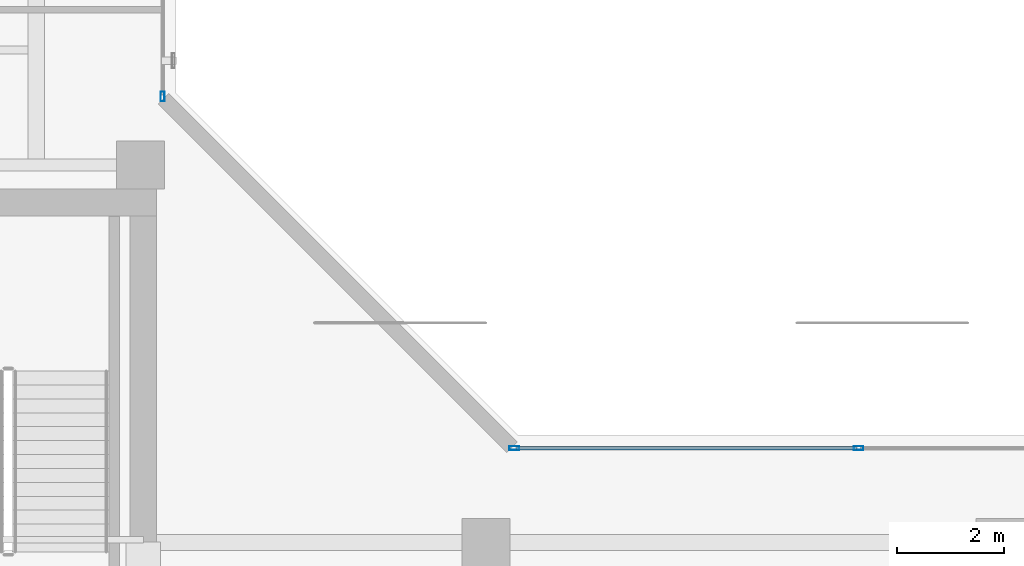
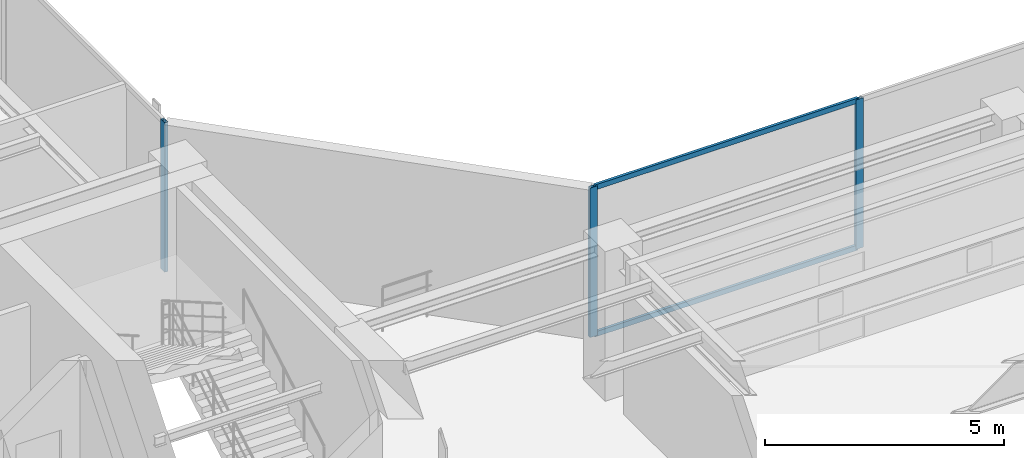
# One storey, part 13 of 32: 5 members, 2 elements without a shape of their own.
"""IFC4 building model written with IfcOpenShell, lengths in metres."""

from ifc_helpers import new_model, si_unit, direction, frame, origin, origin_with_axes, origin_2d, place, context, subcontext, project, spatial, hollow_rectangle, extrude, source, transform, mapped, material, layer, layer_set, material_profile, profile_set, type_object, element, aggregate, save


model = new_model("IFC4")

# Units and contexts
model_context = context("Model", 3, precision=1e-05, world=origin(), true_north=direction((0.0, 1.0)))
body_context = subcontext(model_context, "Body", "Model", "MODEL_VIEW")
ifc_project = project(units=[si_unit("LENGTHUNIT", "METRE"), si_unit("AREAUNIT", "SQUARE_METRE"), si_unit("VOLUMEUNIT", "CUBIC_METRE"), si_unit("PLANEANGLEUNIT", "RADIAN"), si_unit("MASSUNIT", "GRAM", prefix="KILO")], contexts=[model_context])

# Site, building, storey
site_placement = place(None, origin())
site = spatial("IfcSite", under=ifc_project, at=site_placement, CompositionType="ELEMENT")
building_placement = place(site_placement, origin())
building = spatial("IfcBuilding", under=site, at=building_placement, Name="Kolvaren Waterfront Exchange", CompositionType="ELEMENT")
storey_placement = place(building_placement, frame((0.0, 0.0, 352.0)))
storey = spatial("IfcBuildingStorey", under=building, at=storey_placement, Name="L90", CompositionType="ELEMENT", Elevation=352.0)

# Curtain wall, members
ifc_material = material(Name="Anodised bronze aluminium 6063-T6", Category="aluminium")
ifc_layer = layer(ifc_material, 0.219970703125, Name="Anodised bronze aluminium 6063-T6")
ifc_layer_set = layer_set([ifc_layer], Name="Anodised bronze aluminium 6063-T6")
curtain_wall_type = type_object("IfcCurtainWallType", Name="ARC-CW-SYS5", PredefinedType="USERDEFINED", material=ifc_layer_set)
curtain_wall_1_placement = place(storey_placement, origin())
curtain_wall_1 = element("IfcCurtainWall", 1, at=curtain_wall_1_placement, inside=storey, type_object=curtain_wall_type, Name="L90 stick curtain wall CW5 (CW-L90-EN)", ObjectType="STICK CURTAIN WALL", PredefinedType="USERDEFINED")
ifc_material_profile_1 = material_profile(ifc_material, hollow_rectangle(XDim=0.06494140625, YDim=0.1298828125, WallThickness=0.00390625, at=origin_2d()), Name="ALU-TRN-130x65x4")
ifc_profile_set_1 = profile_set([ifc_material_profile_1], Name="Anodised bronze aluminium 6063-T6")
member_type_1 = type_object("IfcMemberType", Name="ARC-CWT-130", PredefinedType="USERDEFINED", material=ifc_profile_set_1)
shared_shape_1 = source(origin_with_axes(), body_context, "Body", "SweptSolid", [
    extrude(hollow_rectangle(XDim=0.06494140625, YDim=0.1298828125, WallThickness=0.00390625, at=origin_2d()), origin(), (0.0, 0.0, 1.0), 6.357666015625),
])
member_1_placement = place(storey_placement, frame((27.764892578125, 19.159912109375, 0.032470703125), z_axis=(1.0, 0.0, 0.0), x_axis=(0.0, 1.0, 0.0)))
member_1 = element("IfcMember", 2, at=member_1_placement, type_object=member_type_1, Name="CW5 transom 1.1", ObjectType="TRANSOM", PredefinedType="USERDEFINED", context=body_context, shape_type="MappedRepresentation", body=[
    mapped(shared_shape_1, transform((0.0, 0.0, 0.0), x_axis=(1.0, 0.0, 0.0), y_axis=(0.0, 1.0, 0.0), z_axis=(0.0, 0.0, 1.0), scale=1.0)),
])
member_2_placement = place(storey_placement, frame((27.764892578125, 19.159912109375, 3.78759765625), z_axis=(1.0, 0.0, 0.0), x_axis=(0.0, 1.0, 0.0)))
member_2 = element("IfcMember", 3, at=member_2_placement, type_object=member_type_1, Name="CW5 transom 1.2", ObjectType="TRANSOM", PredefinedType="USERDEFINED", context=body_context, shape_type="MappedRepresentation", body=[
    mapped(shared_shape_1, transform((0.0, 0.0, 0.0), x_axis=(1.0, 0.0, 0.0), y_axis=(0.0, 1.0, 0.0), z_axis=(0.0, 0.0, 1.0), scale=1.0)),
])

# Curtain wall, member
curtain_wall_2_placement = place(storey_placement, origin())
curtain_wall_2 = element("IfcCurtainWall", 4, at=curtain_wall_2_placement, inside=storey, type_object=curtain_wall_type, Name="L90 stick curtain wall CW5 (CW-L90-NE)", ObjectType="STICK CURTAIN WALL", PredefinedType="USERDEFINED")
ifc_material_profile_2 = material_profile(ifc_material, hollow_rectangle(XDim=0.074951171875, YDim=0.179931640625, WallThickness=0.00439453125, at=origin_2d()), Name="ALU-MUL-180x75x4.5")
ifc_profile_set_2 = profile_set([ifc_material_profile_2], Name="Anodised bronze aluminium 6063-T6")
member_type_2 = type_object("IfcMemberType", Name="ARC-CWM-180", PredefinedType="MULLION", material=ifc_profile_set_2)
shared_shape_2 = source(origin_with_axes(), body_context, "Body", "SweptSolid", [
    extrude(hollow_rectangle(XDim=0.074951171875, YDim=0.179931640625, WallThickness=0.00439453125, at=origin_2d()), origin(), (0.0, 0.0, 1.0), 3.820068359375),
])
member_3_placement = place(storey_placement, frame((21.159912109375, 25.7275390625, 0.0), z_axis=(0.0, 0.0, 1.0), x_axis=(-1.0, 0.0, 0.0)))
member_3 = element("IfcMember", 5, at=member_3_placement, type_object=member_type_2, Name="CW5 mullion 1", PredefinedType="MULLION", context=body_context, shape_type="MappedRepresentation", body=[
    mapped(shared_shape_2, transform((0.0, 0.0, 0.0), x_axis=(1.0, 0.0, 0.0), y_axis=(0.0, 1.0, 0.0), z_axis=(0.0, 0.0, 1.0), scale=1.0)),
])
aggregate(curtain_wall_2, [member_3])

# Member
member_4_placement = place(storey_placement, frame((27.7275390625, 19.159912109375, 0.0), z_axis=(0.0, 0.0, 1.0), x_axis=(0.0, 1.0, 0.0)))
member_4 = element("IfcMember", 6, at=member_4_placement, type_object=member_type_2, Name="CW5 mullion 1", PredefinedType="MULLION", context=body_context, shape_type="MappedRepresentation", body=[
    mapped(shared_shape_2, transform((0.0, 0.0, 0.0), x_axis=(1.0, 0.0, 0.0), y_axis=(0.0, 1.0, 0.0), z_axis=(0.0, 0.0, 1.0), scale=1.0)),
])

member_5_placement = place(storey_placement, frame((34.159912109375, 19.159912109375, 0.0), z_axis=(0.0, 0.0, 1.0), x_axis=(0.0, 1.0, 0.0)))
member_5 = element("IfcMember", 7, at=member_5_placement, type_object=member_type_2, Name="CW5 mullion 2", PredefinedType="MULLION", context=body_context, shape_type="MappedRepresentation", body=[
    mapped(shared_shape_2, transform((0.0, 0.0, 0.0), x_axis=(1.0, 0.0, 0.0), y_axis=(0.0, 1.0, 0.0), z_axis=(0.0, 0.0, 1.0), scale=1.0)),
])

aggregate(curtain_wall_1, [member_4, member_5, member_1, member_2])

save(model, "model.ifc")
